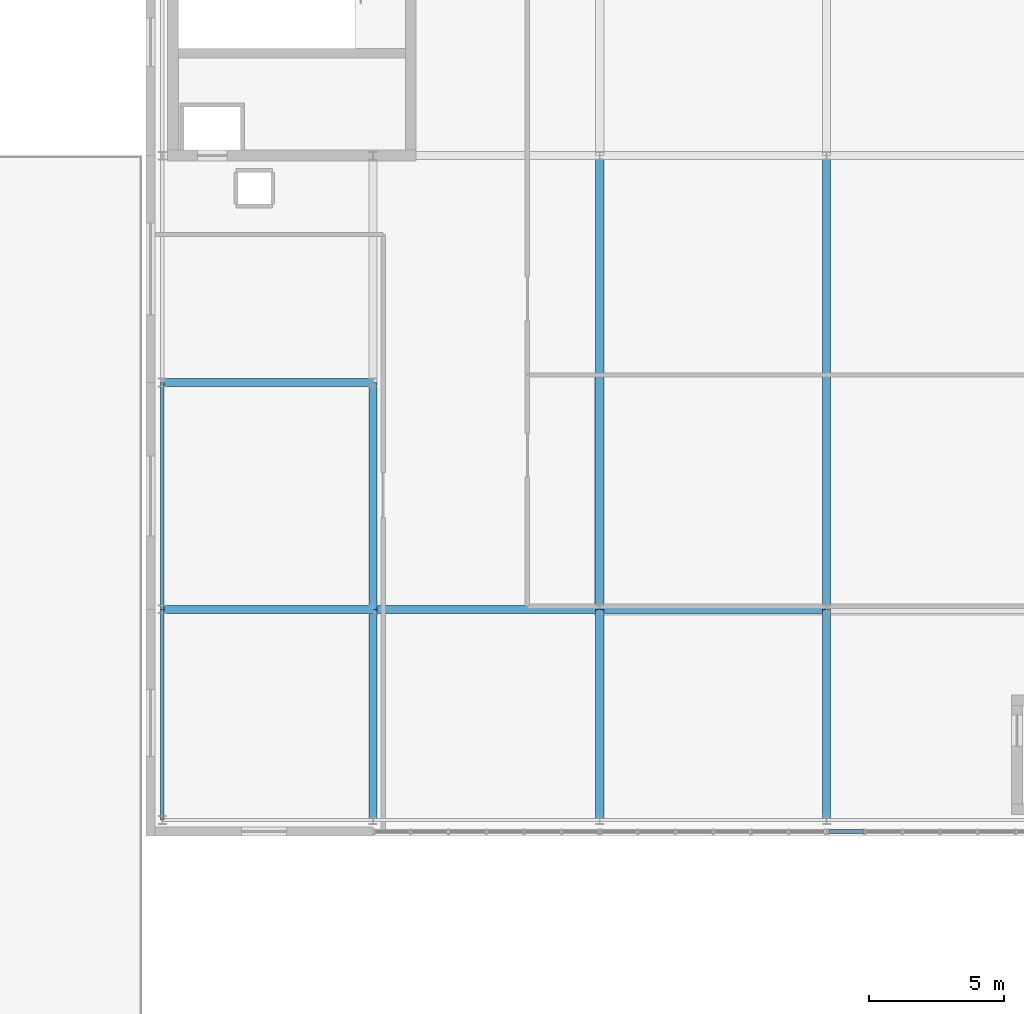
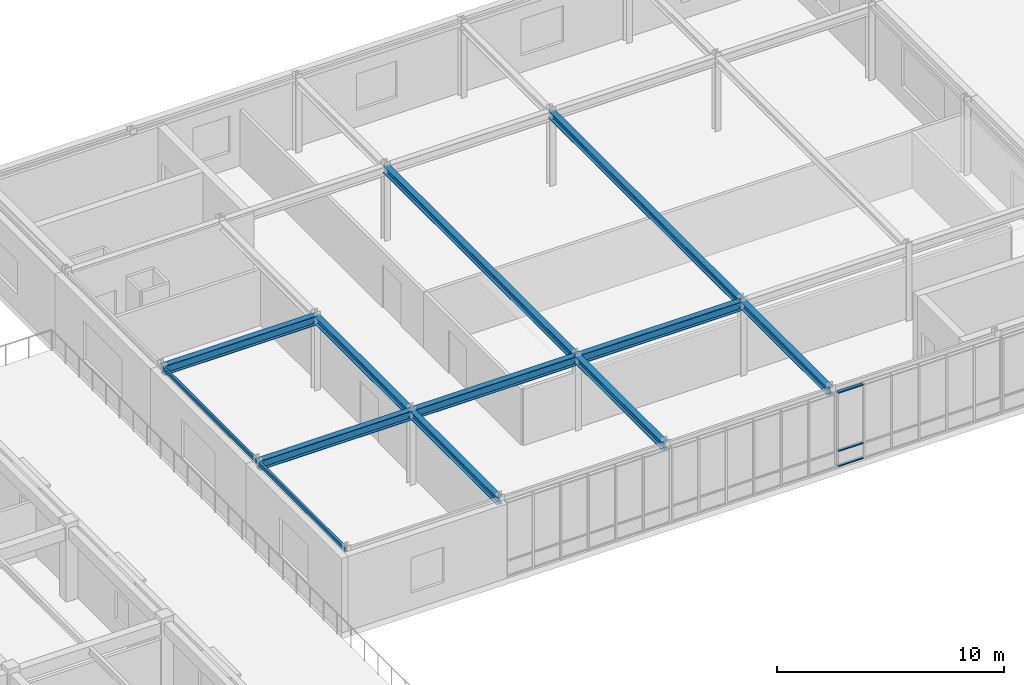
# One storey, part 81 of 127: 12 beams, 3 members, 1 element without a shape of its own.
"""IFC4 building model written with IfcOpenShell, lengths in metres."""

from ifc_helpers import new_model, si_unit, direction, frame, origin, origin_2d, place, context, subcontext, project, spatial, hollow_rectangle, i_section, extrude, material, layer, layer_set, material_profile, profile_set, type_object, element, aggregate, save


model = new_model("IFC4")

# Units and contexts
model_context = context("Model", 3, precision=1e-05, world=origin(), true_north=direction((0.0, 1.0)))
body_context = subcontext(model_context, "Body", "Model", "MODEL_VIEW")
ifc_project = project(units=[si_unit("LENGTHUNIT", "METRE"), si_unit("AREAUNIT", "SQUARE_METRE"), si_unit("VOLUMEUNIT", "CUBIC_METRE"), si_unit("PLANEANGLEUNIT", "RADIAN"), si_unit("MASSUNIT", "GRAM", prefix="KILO")], contexts=[model_context])

# Site, building, storey
site_placement = place(None, origin())
site = spatial("IfcSite", under=ifc_project, at=site_placement, CompositionType="ELEMENT")
building_placement = place(site_placement, origin())
building = spatial("IfcBuilding", under=site, at=building_placement, Name="Zayran Congress Hotel", CompositionType="ELEMENT")
storey_placement = place(building_placement, frame((0.0, 0.0, 10.800048828125)))
storey = spatial("IfcBuildingStorey", under=building, at=storey_placement, Name="L02", CompositionType="ELEMENT", Elevation=10.800048828125)

# Beams
ifc_material_1 = material(Name="Steel S355", Category="steel")
ifc_material_profile_1 = material_profile(ifc_material_1, i_section(OverallWidth=0.300048828125, OverallDepth=0.489990234375, WebThickness=0.011962890625, FlangeThickness=0.02294921875, at=origin_2d()), Name="HEA 500")
ifc_profile_set_1 = profile_set([ifc_material_profile_1], Name="Steel S355")
beam_type_1 = type_object("IfcBeamType", Name="TP-BM-05", PredefinedType="BEAM", material=ifc_profile_set_1)
beam_1_placement = place(storey_placement, frame((143.39990234375, 92.800048828125, 3.7548828125), z_axis=(1.0, 0.0, 0.0), x_axis=(0.0, 1.0, 0.0)))
element("IfcBeam", 1, at=beam_1_placement, inside=storey, type_object=beam_type_1, Name="BM-V2-L02-1014", PredefinedType="BEAM", context=body_context, shape_type="SweptSolid", body=[
    extrude(i_section(OverallWidth=0.300048828125, OverallDepth=0.489990234375, WebThickness=0.011962890625, FlangeThickness=0.02294921875, at=origin_2d()), origin(), (0.0, 0.0, 1.0), 7.800048828125),
])
beam_2_placement = place(storey_placement, frame((151.199951171875, 92.800048828125, 3.7548828125), z_axis=(1.0, 0.0, 0.0), x_axis=(0.0, 1.0, 0.0)))
element("IfcBeam", 2, at=beam_2_placement, inside=storey, type_object=beam_type_1, Name="BM-V2-L02-1015", PredefinedType="BEAM", context=body_context, shape_type="SweptSolid", body=[
    extrude(i_section(OverallWidth=0.300048828125, OverallDepth=0.489990234375, WebThickness=0.011962890625, FlangeThickness=0.02294921875, at=origin_2d()), origin(), (0.0, 0.0, 1.0), 8.400146484375),
])
beam_3_placement = place(storey_placement, frame((159.60009765625, 92.800048828125, 3.7548828125), z_axis=(1.0, 0.0, 0.0), x_axis=(0.0, 1.0, 0.0)))
element("IfcBeam", 3, at=beam_3_placement, inside=storey, type_object=beam_type_1, Name="BM-V2-L02-1016", PredefinedType="BEAM", context=body_context, shape_type="SweptSolid", body=[
    extrude(i_section(OverallWidth=0.300048828125, OverallDepth=0.489990234375, WebThickness=0.011962890625, FlangeThickness=0.02294921875, at=origin_2d()), origin(), (0.0, 0.0, 1.0), 8.39990234375),
])
beam_4_placement = place(storey_placement, frame((143.39990234375, 101.199951171875, 3.7548828125), z_axis=(1.0, 0.0, 0.0), x_axis=(0.0, 1.0, 0.0)))
element("IfcBeam", 4, at=beam_4_placement, inside=storey, type_object=beam_type_1, Name="BM-V2-L02-1019", PredefinedType="BEAM", context=body_context, shape_type="SweptSolid", body=[
    extrude(i_section(OverallWidth=0.300048828125, OverallDepth=0.489990234375, WebThickness=0.011962890625, FlangeThickness=0.02294921875, at=origin_2d()), origin(), (0.0, 0.0, 1.0), 7.800048828125),
])
ifc_material_profile_2 = material_profile(ifc_material_1, i_section(OverallWidth=0.300048828125, OverallDepth=0.389892578125, WebThickness=0.010986328125, FlangeThickness=0.01904296875, at=origin_2d()), Name="HEA 400")
ifc_profile_set_2 = profile_set([ifc_material_profile_2], Name="Steel S355")
beam_type_2 = type_object("IfcBeamType", Name="TP-BM-06", PredefinedType="BEAM", material=ifc_profile_set_2)
beam_5_placement = place(storey_placement, frame((151.199951171875, 85.0, 3.804931640625), z_axis=(0.0, 1.0, 0.0), x_axis=(-1.0, 0.0, 0.0)))
element("IfcBeam", 5, at=beam_5_placement, inside=storey, type_object=beam_type_2, Name="BM-V2-L02-1034", PredefinedType="BEAM", context=body_context, shape_type="SweptSolid", body=[
    extrude(i_section(OverallWidth=0.300048828125, OverallDepth=0.389892578125, WebThickness=0.010986328125, FlangeThickness=0.01904296875, at=origin_2d()), origin(), (0.0, 0.0, 1.0), 7.800048828125),
])
beam_6_placement = place(storey_placement, frame((151.199951171875, 92.800048828125, 3.804931640625), z_axis=(0.0, 1.0, 0.0), x_axis=(-1.0, 0.0, 0.0)))
element("IfcBeam", 6, at=beam_6_placement, inside=storey, type_object=beam_type_2, Name="BM-V2-L02-1035", PredefinedType="BEAM", context=body_context, shape_type="SweptSolid", body=[
    extrude(i_section(OverallWidth=0.300048828125, OverallDepth=0.389892578125, WebThickness=0.010986328125, FlangeThickness=0.01904296875, at=origin_2d()), origin(), (0.0, 0.0, 1.0), 8.39990234375),
])
beam_7_placement = place(storey_placement, frame((159.60009765625, 85.0, 3.804931640625), z_axis=(0.0, 1.0, 0.0), x_axis=(-1.0, 0.0, 0.0)))
element("IfcBeam", 7, at=beam_7_placement, inside=storey, type_object=beam_type_2, Name="BM-V2-L02-1037", PredefinedType="BEAM", context=body_context, shape_type="SweptSolid", body=[
    extrude(i_section(OverallWidth=0.300048828125, OverallDepth=0.389892578125, WebThickness=0.010986328125, FlangeThickness=0.01904296875, at=origin_2d()), origin(), (0.0, 0.0, 1.0), 7.800048828125),
])
beam_8_placement = place(storey_placement, frame((159.60009765625, 92.800048828125, 3.804931640625), z_axis=(0.0, 1.0, 0.0), x_axis=(-1.0, 0.0, 0.0)))
element("IfcBeam", 8, at=beam_8_placement, inside=storey, type_object=beam_type_2, Name="BM-V2-L02-1038", PredefinedType="BEAM", context=body_context, shape_type="SweptSolid", body=[
    extrude(i_section(OverallWidth=0.300048828125, OverallDepth=0.389892578125, WebThickness=0.010986328125, FlangeThickness=0.01904296875, at=origin_2d()), origin(), (0.0, 0.0, 1.0), 16.800048828125),
])
beam_9_placement = place(storey_placement, frame((168.0, 85.0, 3.804931640625), z_axis=(0.0, 1.0, 0.0), x_axis=(-1.0, 0.0, 0.0)))
element("IfcBeam", 9, at=beam_9_placement, inside=storey, type_object=beam_type_2, Name="BM-V2-L02-1040", PredefinedType="BEAM", context=body_context, shape_type="SweptSolid", body=[
    extrude(i_section(OverallWidth=0.300048828125, OverallDepth=0.389892578125, WebThickness=0.010986328125, FlangeThickness=0.01904296875, at=origin_2d()), origin(), (0.0, 0.0, 1.0), 7.800048828125),
])
beam_10_placement = place(storey_placement, frame((168.0, 92.800048828125, 3.804931640625), z_axis=(0.0, 1.0, 0.0), x_axis=(-1.0, 0.0, 0.0)))
element("IfcBeam", 10, at=beam_10_placement, inside=storey, type_object=beam_type_2, Name="BM-V2-L02-1041", PredefinedType="BEAM", context=body_context, shape_type="SweptSolid", body=[
    extrude(i_section(OverallWidth=0.300048828125, OverallDepth=0.389892578125, WebThickness=0.010986328125, FlangeThickness=0.01904296875, at=origin_2d()), origin(), (0.0, 0.0, 1.0), 16.800048828125),
])
ifc_material_profile_3 = material_profile(ifc_material_1, hollow_rectangle(XDim=0.1201171875, YDim=0.199951171875, WallThickness=0.008056640625, at=origin_2d()), Name="RHS 200x120x8")
ifc_profile_set_3 = profile_set([ifc_material_profile_3], Name="Steel S355")
beam_type_3 = type_object("IfcBeamType", Name="TP-SP-02", PredefinedType="SPANDREL", material=ifc_profile_set_3)
beam_11_placement = place(storey_placement, frame((143.39990234375, 85.0, 3.89990234375), z_axis=(0.0, 1.0, 0.0), x_axis=(-1.0, 0.0, 0.0)))
element("IfcBeam", 11, at=beam_11_placement, inside=storey, type_object=beam_type_3, Name="BM-V2-L02-1030", PredefinedType="SPANDREL", context=body_context, shape_type="SweptSolid", body=[
    extrude(hollow_rectangle(XDim=0.1201171875, YDim=0.199951171875, WallThickness=0.008056640625, at=origin_2d()), origin(), (0.0, 0.0, 1.0), 7.800048828125),
])
beam_12_placement = place(storey_placement, frame((143.39990234375, 92.800048828125, 3.89990234375), z_axis=(0.0, 1.0, 0.0), x_axis=(-1.0, 0.0, 0.0)))
element("IfcBeam", 12, at=beam_12_placement, inside=storey, type_object=beam_type_3, Name="BM-V2-L02-1031", PredefinedType="SPANDREL", context=body_context, shape_type="SweptSolid", body=[
    extrude(hollow_rectangle(XDim=0.1201171875, YDim=0.199951171875, WallThickness=0.008056640625, at=origin_2d()), origin(), (0.0, 0.0, 1.0), 8.39990234375),
])

# Curtain wall, members
ifc_material_2 = material(Name="Anodised aluminium and low-E insulated glass", Category="aluminium")
ifc_layer = layer(ifc_material_2, 0.179931640625)
ifc_layer_set = layer_set([ifc_layer], Name="Anodised aluminium and low-E insulated glass")
curtain_wall_type = type_object("IfcCurtainWallType", Name="CW-V2S-L02-CW-V22-8390-4000", PredefinedType="USERDEFINED", material=ifc_layer_set)
curtain_wall_placement = place(storey_placement, origin())
curtain_wall = element("IfcCurtainWall", 13, at=curtain_wall_placement, inside=storey, type_object=curtain_wall_type, Name="CW-V2S-L02-3", ObjectType="CURTAIN WALL", PredefinedType="USERDEFINED")
ifc_material_3 = material(Name="Anodised aluminium framing", Category="aluminium")
ifc_material_profile_4 = material_profile(ifc_material_3, hollow_rectangle(XDim=0.06005859375, YDim=0.14990234375, WallThickness=0.00390625, at=origin_2d()), Name="RHS 150x60x4")
ifc_profile_set_4 = profile_set([ifc_material_profile_4], Name="Anodised aluminium framing")
member_type = type_object("IfcMemberType", Name="TP-CWT-01", PredefinedType="USERDEFINED", material=ifc_profile_set_4)
member_1_placement = place(storey_placement, frame((168.0849609375, 84.570068359375, 0.030029296875), z_axis=(1.0, 0.0, 0.0), x_axis=(0.0, 0.0, 1.0)))
member_1 = element("IfcMember", 14, at=member_1_placement, type_object=member_type, Name="CW-V2S-L02-3-T00-0", ObjectType="TRANSOM", PredefinedType="USERDEFINED", context=body_context, shape_type="SweptSolid", body=[
    extrude(hollow_rectangle(XDim=0.06005859375, YDim=0.14990234375, WallThickness=0.00390625, at=origin_2d()), origin(), (0.0, 0.0, 1.0), 1.2783203125),
])
member_2_placement = place(storey_placement, frame((168.0849609375, 84.570068359375, 0.83984375), z_axis=(1.0, 0.0, 0.0), x_axis=(0.0, 0.0, 1.0)))
member_2 = element("IfcMember", 15, at=member_2_placement, type_object=member_type, Name="CW-V2S-L02-3-T00-1", ObjectType="TRANSOM", PredefinedType="USERDEFINED", context=body_context, shape_type="SweptSolid", body=[
    extrude(hollow_rectangle(XDim=0.06005859375, YDim=0.14990234375, WallThickness=0.00390625, at=origin_2d()), origin(), (0.0, 0.0, 1.0), 1.2783203125),
])
member_3_placement = place(storey_placement, frame((168.0849609375, 84.570068359375, 3.969970703125), z_axis=(1.0, 0.0, 0.0), x_axis=(0.0, 0.0, 1.0)))
member_3 = element("IfcMember", 16, at=member_3_placement, type_object=member_type, Name="CW-V2S-L02-3-T00-2", ObjectType="TRANSOM", PredefinedType="USERDEFINED", context=body_context, shape_type="SweptSolid", body=[
    extrude(hollow_rectangle(XDim=0.06005859375, YDim=0.14990234375, WallThickness=0.00390625, at=origin_2d()), origin(), (0.0, 0.0, 1.0), 1.2783203125),
])
aggregate(curtain_wall, [member_1, member_2, member_3])

save(model, "model.ifc")
